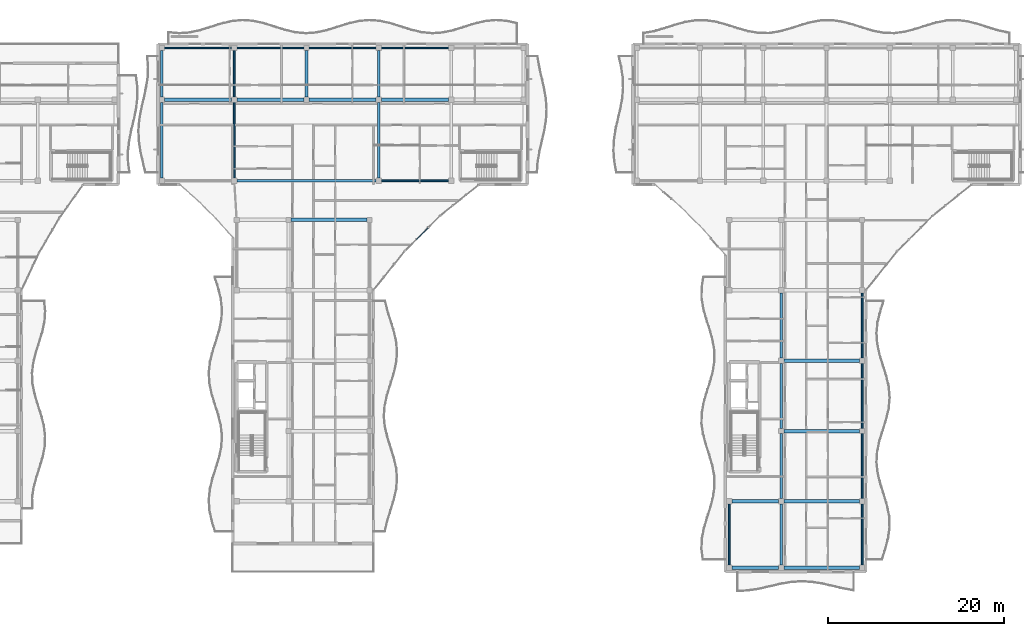
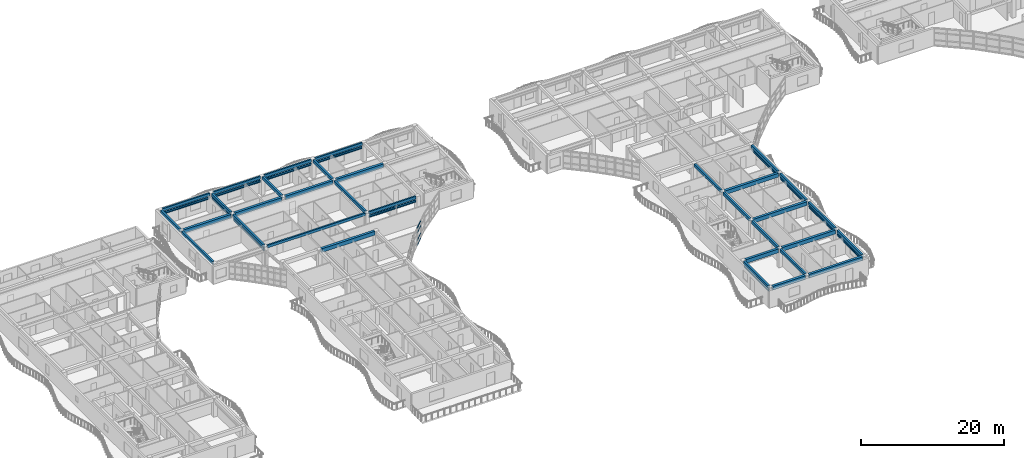
# One storey, part 7 of 71: 33 beams, 28 members, 1 element without a shape of its own.
"""IFC4 building model written with IfcOpenShell, lengths in metres."""

import ifcopenshell
import ifcopenshell.guid

model = None  # the IFC model being written
_history = None  # IfcOwnerHistory: only IFC2X3 demands one
_inside = {}  # id of a spatial element -> (the spatial element, [elements in it])
_under = {}  # id of a project, library or spatial element -> (it, [spatial elements below it])
_declared = {}  # id of a project -> (the project, [libraries it declares])
_typed = {}  # id of a type object -> (the type object, [elements of that type])
_made_of = {}  # id of a material, layer set ... -> (it, [elements and type objects made of it])


def new_model(schema):
    """Start an empty IFC model of exactly this schema.

    Asked for "IFC4X3", IfcOpenShell would pick the latest addendum, in which some entities
    have other attributes; the version numbers below select the first issue.
    IFC2X3 requires an IfcOwnerHistory on every rooted entity: one is made here for all.
    """
    global model, _history
    if schema == "IFC4X3":
        model = ifcopenshell.file(schema_version=(4, 3, 0, 0))
    else:
        model = ifcopenshell.file(schema=schema)
    _inside.clear()
    _under.clear()
    _declared.clear()
    _typed.clear()
    _made_of.clear()
    _history = None
    if model.schema == "IFC2X3":
        org = make("IfcOrganization", Name="unknown")
        user = make(
            "IfcPersonAndOrganization",
            ThePerson=make("IfcPerson", FamilyName="unknown"),
            TheOrganization=org,
        )
        app = make(
            "IfcApplication",
            ApplicationDeveloper=org,
            Version="unknown",
            ApplicationFullName="unknown",
            ApplicationIdentifier="unknown",
        )
        _history = make(
            "IfcOwnerHistory",
            OwningUser=user,
            OwningApplication=app,
            ChangeAction="ADDED",
            CreationDate=0,
        )
    return model


def make(cls, **values):
    """One entity of the class cls with the attributes given. An attribute that is None is left unset."""
    return model.create_entity(
        cls, **{name: value for name, value in values.items() if value is not None}
    )


def rooted(cls, **values):
    """An entity with a GlobalId (a new one), such as an element, a storey or a relation."""
    return make(cls, GlobalId=ifcopenshell.guid.new(), OwnerHistory=_history, **values)


def si_unit(unit_type, name, prefix=None):
    """IfcSIUnit, for example si_unit("LENGTHUNIT", "METRE", prefix="MILLI")."""
    return make("IfcSIUnit", UnitType=unit_type, Prefix=prefix, Name=name)


def assignment(units):
    """IfcUnitAssignment: the units of a project."""
    return None if units is None else make("IfcUnitAssignment", Units=units)


def point(xyz):
    """IfcCartesianPoint."""
    return None if xyz is None else make("IfcCartesianPoint", Coordinates=xyz)


def direction(xyz):
    """IfcDirection."""
    return None if xyz is None else make("IfcDirection", DirectionRatios=xyz)


def frame(location, z_axis=None, x_axis=None):
    """IfcAxis2Placement3D, a coordinate frame: its origin and axes. An axis left out is left unset."""
    return make(
        "IfcAxis2Placement3D",
        Location=point(location),
        Axis=direction(z_axis),
        RefDirection=direction(x_axis),
    )


def frame_2d(location, x_axis=None):
    """IfcAxis2Placement2D, a coordinate frame in the plane: its origin and x axis."""
    return make(
        "IfcAxis2Placement2D", Location=point(location), RefDirection=direction(x_axis)
    )


def origin():
    """The frame at (0, 0, 0) with its axes left unset."""
    return frame((0.0, 0.0, 0.0))


def origin_2d():
    """The frame at (0, 0) in the plane with its x axis left unset."""
    return frame_2d((0.0, 0.0))


def place(relative_to, where):
    """IfcLocalPlacement: puts the frame where relative to a parent placement (None: the world)."""
    return make(
        "IfcLocalPlacement", PlacementRelTo=relative_to, RelativePlacement=where
    )


def context(
    kind, dimensions, precision=None, world=None, true_north=None, identifier=None
):
    """IfcGeometricRepresentationContext, for example the 3D "Model" context."""
    return make(
        "IfcGeometricRepresentationContext",
        ContextIdentifier=identifier,
        ContextType=kind,
        CoordinateSpaceDimension=dimensions,
        Precision=precision,
        WorldCoordinateSystem=world,
        TrueNorth=true_north,
    )


def subcontext(parent, identifier, kind, view, scale=None):
    """IfcGeometricRepresentationSubContext, for example "Body" below "Model"."""
    return make(
        "IfcGeometricRepresentationSubContext",
        ContextIdentifier=identifier,
        ContextType=kind,
        ParentContext=parent,
        TargetScale=scale,
        TargetView=view,
    )


def project(units=None, contexts=None):
    """IfcProject with its units and contexts."""
    return rooted(
        "IfcProject",
        Name="project",
        RepresentationContexts=contexts,
        UnitsInContext=assignment(units),
    )


def spatial(cls, under=None, at=None, **own):
    """A site, building, storey or space (cls), placed at a placement, below another one or the project."""
    s = rooted(cls, ObjectPlacement=at, **own)
    if under is not None:
        _under.setdefault(under.id(), (under, []))[1].append(s)
    return s


def profile(cls, at=None, kind="AREA", **sizes):
    """A parametric profile (cls). Its sizes go by their IFC names, for example OverallWidth=200.0."""
    return make(cls, ProfileType=kind, Position=at, **sizes)


def rectangle(**sizes):
    """IfcRectangleProfileDef."""
    return profile("IfcRectangleProfileDef", **sizes)


def hollow_rectangle(**sizes):
    """IfcRectangleHollowProfileDef."""
    return profile("IfcRectangleHollowProfileDef", **sizes)


def extrude(swept, where, along, depth):
    """IfcExtrudedAreaSolid: the profile swept, set in the frame where, extruded along a direction by depth."""
    return make(
        "IfcExtrudedAreaSolid",
        SweptArea=swept,
        Position=where,
        ExtrudedDirection=direction(along),
        Depth=depth,
    )


def shape(context_of_items, identifier, shape_type, items):
    """IfcShapeRepresentation: the items that make up one representation, for example the "Body"."""
    return make(
        "IfcShapeRepresentation",
        ContextOfItems=context_of_items,
        RepresentationIdentifier=identifier,
        RepresentationType=shape_type,
        Items=items,
    )


def material(Name=None, Category=None):
    """IfcMaterial."""
    return make("IfcMaterial", Name=Name, Category=Category)


def layer(
    of_material, thickness, ventilated=None, Name=None, Category=None, Priority=None
):
    """IfcMaterialLayer: one layer of a wall or slab, of a material (None: an air gap)."""
    return make(
        "IfcMaterialLayer",
        Material=of_material,
        LayerThickness=thickness,
        IsVentilated=ventilated,
        Name=Name,
        Category=Category,
        Priority=Priority,
    )


def layer_set(layers, Name=None):
    """IfcMaterialLayerSet."""
    return make("IfcMaterialLayerSet", MaterialLayers=layers, LayerSetName=Name)


def material_profile(
    of_material, cross_section, Name=None, Category=None, Priority=None
):
    """IfcMaterialProfile: a cross section and its material."""
    return make(
        "IfcMaterialProfile",
        Name=Name,
        Material=of_material,
        Profile=cross_section,
        Priority=Priority,
        Category=Category,
    )


def profile_set(profiles, Name=None, composite=None):
    """IfcMaterialProfileSet."""
    return make(
        "IfcMaterialProfileSet",
        Name=Name,
        MaterialProfiles=profiles,
        CompositeProfile=composite,
    )


def made_of(thing, what):
    """Note that an element or type object is made of a material, layer set ...; save() writes the relation."""
    if what is not None:
        _made_of.setdefault(what.id(), (what, []))[1].append(thing)
    return thing


def type_object(cls, material=None, **own):
    """A type object (cls), such as IfcWallType, which elements share."""
    return made_of(rooted(cls, **own), material)


def element(
    cls,
    number,
    at=None,
    inside=None,
    cuts=None,
    type_object=None,
    material=None,
    context=None,
    identifier="Body",
    shape_type=None,
    held_by="IfcProductDefinitionShape",
    body=None,
    shapes=None,
    **own,
):
    """One element of the class cls, such as IfcWall. Its Tag is "e" and its number.

    at: its placement. inside: the storey or other place that contains it. cuts: it is an
    opening in that element (IfcRelVoidsElement). A single representation is given by context,
    identifier, shape_type and body (its items); several are given by shapes. held_by: the class
    of the entity that holds the representations. save() writes the other relations.
    """
    e = rooted(cls, Tag="e%d" % number, ObjectPlacement=at, **own)
    if body is not None:
        shapes = [shape(context, identifier, shape_type, body)]
    if shapes is not None:
        e.Representation = make(held_by, Representations=shapes)
    if inside is not None:
        _inside.setdefault(inside.id(), (inside, []))[1].append(e)
    if cuts is not None:
        rooted(
            "IfcRelVoidsElement", RelatingBuildingElement=cuts, RelatedOpeningElement=e
        )
    if type_object is not None:
        _typed.setdefault(type_object.id(), (type_object, []))[1].append(e)
    return made_of(e, material)


def aggregate(whole, parts):
    """IfcRelAggregates: a whole, such as a stair, and the parts it consists of."""
    return rooted("IfcRelAggregates", RelatingObject=whole, RelatedObjects=parts)


def save(model, path):
    """Write the relations noted so far, then the file.

    IfcRelAggregates (storeys below a building ...), IfcRelContainedInSpatialStructure (elements
    in a storey), IfcRelDefinesByType, IfcRelAssociatesMaterial and IfcRelDeclares: one each for
    every whole, place, type object, material and project.
    """
    for whole, parts in _under.values():
        aggregate(whole, parts)
    for where, things in _inside.values():
        rooted(
            "IfcRelContainedInSpatialStructure",
            RelatedElements=things,
            RelatingStructure=where,
        )
    for kind, things in _typed.values():
        rooted("IfcRelDefinesByType", RelatedObjects=things, RelatingType=kind)
    for what, things in _made_of.values():
        rooted("IfcRelAssociatesMaterial", RelatedObjects=things, RelatingMaterial=what)
    for by, libraries in _declared.values():
        rooted("IfcRelDeclares", RelatingContext=by, RelatedDefinitions=libraries)
    model.write(path)


model = new_model("IFC4")

# Units and contexts
model_context = context("Model", 3, precision=1e-05, world=origin(), true_north=direction((0.0, 1.0)))
body_context = subcontext(model_context, "Body", "Model", "MODEL_VIEW")
ifc_project = project(units=[si_unit("LENGTHUNIT", "METRE"), si_unit("AREAUNIT", "SQUARE_METRE"), si_unit("VOLUMEUNIT", "CUBIC_METRE"), si_unit("PLANEANGLEUNIT", "RADIAN"), si_unit("MASSUNIT", "GRAM", prefix="KILO")], contexts=[model_context])

# Site, building, storey
site_placement = place(None, origin())
site = spatial("IfcSite", under=ifc_project, at=site_placement, CompositionType="ELEMENT")
building_placement = place(site_placement, origin())
building = spatial("IfcBuilding", under=site, at=building_placement, Name="Keldmere Railside Commons", CompositionType="ELEMENT")
storey_placement = place(building_placement, frame((0.0, 0.0, 20.159912109375)))
storey = spatial("IfcBuildingStorey", under=building, at=storey_placement, Name="L06", CompositionType="ELEMENT", Elevation=20.159912109375)

# Members
ifc_material_1 = material(Name="Steel F-36 (S355)", Category="steel")
ifc_material_profile_1 = material_profile(ifc_material_1, hollow_rectangle(XDim=0.14990234375, YDim=0.25, WallThickness=0.010009765625, at=origin_2d()), Name="RHS-250x150x10")
ifc_profile_set_1 = profile_set([ifc_material_profile_1], Name="Steel F-36 (S355)")
member_type_1 = type_object("IfcMemberType", Name="Balcony Continuous Planted Trough RHS250x150", PredefinedType="CHORD", material=ifc_profile_set_1)
for number, where, z_axis, x_axis, name in (
    (1, (40.25, 115.550048828125, 2.4150390625), (1.0, 0.0, 0.0), (0.0, 1.0, 0.0), "PLT-1 MEM-BPLT-0693"),
    (2, (48.469970703125, 115.550048828125, 2.4150390625), (1.0, 0.0, 0.0), (0.0, 1.0, 0.0), "PLT-1 MEM-BPLT-0695"),
    (3, (56.68994140625, 115.550048828125, 2.4150390625), (1.0, 0.0, 0.0), (0.0, 1.0, 0.0), "PLT-1 MEM-BPLT-0697"),
    (4, (64.909912109375, 115.550048828125, 2.4150390625), (1.0, 0.0, 0.0), (0.0, 1.0, 0.0), "PLT-1 MEM-BPLT-0699"),
    (5, (64.909912109375, 100.449951171875, 2.4150390625), (1.0, 0.0, 0.0), (0.0, 1.0, 0.0), "PLT-1 MEM-BPLT-0705"),
):
    element("IfcMember", number, at=place(storey_placement, frame(where, z_axis=z_axis, x_axis=x_axis)), inside=storey, type_object=member_type_1, Name=name, PredefinedType="CHORD", context=body_context, shape_type="SweptSolid", body=[
        extrude(hollow_rectangle(XDim=0.14990234375, YDim=0.25, WallThickness=0.010009765625, at=origin_2d()), origin(), (0.0, 0.0, 1.0), 7.6201171875),
    ])
member_1_placement = place(storey_placement, frame((48.169921875, 100.75, 2.4150390625), z_axis=(0.0, 1.0, 0.0), x_axis=(-1.0, 0.0, 0.0)))
element("IfcMember", 6, at=member_1_placement, inside=storey, type_object=member_type_1, Name="PLT-1 MEM-BPLT-0711", PredefinedType="CHORD", context=body_context, shape_type="SweptSolid", body=[
    extrude(hollow_rectangle(XDim=0.14990234375, YDim=0.25, WallThickness=0.010009765625, at=origin_2d()), origin(), (0.0, 0.0, 1.0), 8.60009765625),
])
member_2_placement = place(storey_placement, frame((48.169921875, 109.949951171875, 2.4150390625), z_axis=(0.0, 1.0, 0.0), x_axis=(-1.0, 0.0, 0.0)))
element("IfcMember", 7, at=member_2_placement, inside=storey, type_object=member_type_1, Name="PLT-1 MEM-BPLT-0713", PredefinedType="CHORD", context=body_context, shape_type="SweptSolid", body=[
    extrude(hollow_rectangle(XDim=0.14990234375, YDim=0.25, WallThickness=0.010009765625, at=origin_2d()), origin(), (0.0, 0.0, 1.0), 5.300048828125),
])
for number, where, z_axis, x_axis, name in (
    (8, (104.449951171875, 56.75, 2.4150390625), (0.0, 1.0, 0.0), (-1.0, 0.0, 0.0), "PLT-1 MEM-BPLT-0737"),
    (9, (119.550048828125, 56.75, 2.4150390625), (0.0, 1.0, 0.0), (-1.0, 0.0, 0.0), "PLT-1 MEM-BPLT-0741"),
):
    element("IfcMember", number, at=place(storey_placement, frame(where, z_axis=z_axis, x_axis=x_axis)), inside=storey, type_object=member_type_1, Name=name, PredefinedType="CHORD", context=body_context, shape_type="SweptSolid", body=[
        extrude(hollow_rectangle(XDim=0.14990234375, YDim=0.25, WallThickness=0.010009765625, at=origin_2d()), origin(), (0.0, 0.0, 1.0), 6.949951171875),
    ])
for number, where, z_axis, x_axis, name in (
    (10, (119.550048828125, 64.300048828125, 2.4150390625), (0.0, 1.0, 0.0), (-1.0, 0.0, 0.0), "PLT-1 MEM-BPLT-0743"),
    (11, (119.550048828125, 72.300048828125, 2.4150390625), (0.0, 1.0, 0.0), (-1.0, 0.0, 0.0), "PLT-1 MEM-BPLT-0745"),
    (12, (119.550048828125, 80.300048828125, 2.4150390625), (0.0, 1.0, 0.0), (-1.0, 0.0, 0.0), "PLT-1 MEM-BPLT-0747"),
):
    element("IfcMember", number, at=place(storey_placement, frame(where, z_axis=z_axis, x_axis=x_axis)), inside=storey, type_object=member_type_1, Name=name, PredefinedType="CHORD", context=body_context, shape_type="SweptSolid", body=[
        extrude(hollow_rectangle(XDim=0.14990234375, YDim=0.25, WallThickness=0.010009765625, at=origin_2d()), origin(), (0.0, 0.0, 1.0), 7.39990234375),
    ])

# Beams
ifc_material_2 = material(Name="Architectural Precast Concrete H-35 (C35/45)", Category="concrete")
ifc_material_profile_2 = material_profile(ifc_material_2, rectangle(XDim=0.25, YDim=0.449951171875, at=origin_2d()), Name="RC-250x450")
ifc_profile_set_2 = profile_set([ifc_material_profile_2], Name="Architectural Precast Concrete H-35 (C35/45)")
beam_type_1 = type_object("IfcBeamType", Name="Perimeter Precast Spandrel Beam 250x450", PredefinedType="SPANDREL", material=ifc_profile_set_2)
beam_1_placement = place(storey_placement, frame((48.469970703125, 100.449951171875, 2.97509765625), z_axis=(1.0, 0.0, 0.0), x_axis=(0.0, 1.0, 0.0)))
element("IfcBeam", 13, at=beam_1_placement, inside=storey, type_object=beam_type_1, Name="SPB-1 BM-L06-1899", PredefinedType="SPANDREL", context=body_context, shape_type="SweptSolid", body=[
    extrude(rectangle(XDim=0.25, YDim=0.449951171875, at=origin_2d()), origin(), (0.0, 0.0, 1.0), 15.840087890625),
])
for number, where, z_axis, x_axis, name in (
    (14, (64.909912109375, 100.449951171875, 2.97509765625), (1.0, 0.0, 0.0), (0.0, 1.0, 0.0), "SPB-1 BM-L06-1900"),
    (15, (40.25, 115.550048828125, 2.97509765625), (1.0, 0.0, 0.0), (0.0, 1.0, 0.0), "SPB-1 BM-L06-1926"),
    (16, (48.469970703125, 115.550048828125, 2.97509765625), (1.0, 0.0, 0.0), (0.0, 1.0, 0.0), "SPB-1 BM-L06-1927"),
    (17, (56.68994140625, 115.550048828125, 2.97509765625), (1.0, 0.0, 0.0), (0.0, 1.0, 0.0), "SPB-1 BM-L06-1928"),
    (18, (64.909912109375, 115.550048828125, 2.97509765625), (1.0, 0.0, 0.0), (0.0, 1.0, 0.0), "SPB-1 BM-L06-1929"),
):
    element("IfcBeam", number, at=place(storey_placement, frame(where, z_axis=z_axis, x_axis=x_axis)), inside=storey, type_object=beam_type_1, Name=name, PredefinedType="SPANDREL", context=body_context, shape_type="SweptSolid", body=[
        extrude(rectangle(XDim=0.25, YDim=0.449951171875, at=origin_2d()), origin(), (0.0, 0.0, 1.0), 7.6201171875),
    ])
ifc_material_3 = material(Name="Concrete H-30 (C30/37)", Category="concrete")
ifc_material_profile_3 = material_profile(ifc_material_3, rectangle(XDim=0.39990234375, YDim=0.64990234375, at=origin_2d()), Name="RC-400x650")
ifc_profile_set_3 = profile_set([ifc_material_profile_3], Name="Concrete H-30 (C30/37)")
beam_type_2 = type_object("IfcBeamType", Name="Residential Spine RC Girder 400x650", PredefinedType="BEAM", material=ifc_profile_set_3)
beam_2_placement = place(storey_placement, frame((104.75, 56.449951171875, 2.875), z_axis=(1.0, 0.0, 0.0), x_axis=(0.0, 1.0, 0.0)))
element("IfcBeam", 19, at=beam_2_placement, inside=storey, type_object=beam_type_2, Name="BG-3 BM-L06-1861", PredefinedType="BEAM", context=body_context, shape_type="SweptSolid", body=[
    extrude(rectangle(XDim=0.39990234375, YDim=0.64990234375, at=origin_2d()), origin(), (0.0, 0.0, 1.0), 5.300048828125),
])
beam_3_placement = place(storey_placement, frame((110.64990234375, 56.449951171875, 2.875), z_axis=(1.0, 0.0, 0.0), x_axis=(0.0, 1.0, 0.0)))
element("IfcBeam", 20, at=beam_3_placement, inside=storey, type_object=beam_type_2, Name="BG-3 BM-L06-1862", PredefinedType="BEAM", context=body_context, shape_type="SweptSolid", body=[
    extrude(rectangle(XDim=0.39990234375, YDim=0.64990234375, at=origin_2d()), origin(), (0.0, 0.0, 1.0), 8.60009765625),
])
beam_4_placement = place(storey_placement, frame((104.75, 64.0, 2.875), z_axis=(1.0, 0.0, 0.0), x_axis=(0.0, 1.0, 0.0)))
element("IfcBeam", 21, at=beam_4_placement, inside=storey, type_object=beam_type_2, Name="BG-3 BM-L06-1869", PredefinedType="BEAM", context=body_context, shape_type="SweptSolid", body=[
    extrude(rectangle(XDim=0.39990234375, YDim=0.64990234375, at=origin_2d()), origin(), (0.0, 0.0, 1.0), 5.300048828125),
])
for number, where, z_axis, x_axis, name in (
    (22, (110.64990234375, 64.0, 2.875), (1.0, 0.0, 0.0), (0.0, 1.0, 0.0), "BG-3 BM-L06-1870"),
    (23, (110.64990234375, 72.0, 2.875), (1.0, 0.0, 0.0), (0.0, 1.0, 0.0), "BG-3 BM-L06-1875"),
    (24, (110.64990234375, 80.0, 2.875), (1.0, 0.0, 0.0), (0.0, 1.0, 0.0), "BG-3 BM-L06-1879"),
    (25, (54.64990234375, 96.0, 2.875), (1.0, 0.0, 0.0), (0.0, 1.0, 0.0), "BG-3 BM-L06-1892"),
):
    element("IfcBeam", number, at=place(storey_placement, frame(where, z_axis=z_axis, x_axis=x_axis)), inside=storey, type_object=beam_type_2, Name=name, PredefinedType="BEAM", context=body_context, shape_type="SweptSolid", body=[
        extrude(rectangle(XDim=0.39990234375, YDim=0.64990234375, at=origin_2d()), origin(), (0.0, 0.0, 1.0), 8.60009765625),
    ])
for number, where, z_axis, x_axis, name in (
    (26, (40.25, 109.64990234375, 2.875), (1.0, 0.0, 0.0), (0.0, 1.0, 0.0), "BG-3 BM-L06-1910"),
    (27, (48.469970703125, 109.64990234375, 2.875), (1.0, 0.0, 0.0), (0.0, 1.0, 0.0), "BG-3 BM-L06-1911"),
    (28, (56.68994140625, 109.64990234375, 2.875), (1.0, 0.0, 0.0), (0.0, 1.0, 0.0), "BG-3 BM-L06-1912"),
    (29, (64.909912109375, 109.64990234375, 2.875), (1.0, 0.0, 0.0), (0.0, 1.0, 0.0), "BG-3 BM-L06-1913"),
):
    element("IfcBeam", number, at=place(storey_placement, frame(where, z_axis=z_axis, x_axis=x_axis)), inside=storey, type_object=beam_type_2, Name=name, PredefinedType="BEAM", context=body_context, shape_type="SweptSolid", body=[
        extrude(rectangle(XDim=0.39990234375, YDim=0.64990234375, at=origin_2d()), origin(), (0.0, 0.0, 1.0), 7.6201171875),
    ])
ifc_material_profile_4 = material_profile(ifc_material_3, rectangle(XDim=0.300048828125, YDim=0.5, at=origin_2d()), Name="RC-300x500")
ifc_profile_set_4 = profile_set([ifc_material_profile_4], Name="Concrete H-30 (C30/37)")
beam_type_3 = type_object("IfcBeamType", Name="Secondary Frame RC Beam 300x500", PredefinedType="BEAM", material=ifc_profile_set_4)
beam_5_placement = place(storey_placement, frame((39.949951171875, 100.75, 2.9501953125), z_axis=(0.0, 1.0, 0.0), x_axis=(-1.0, 0.0, 0.0)))
element("IfcBeam", 30, at=beam_5_placement, inside=storey, type_object=beam_type_3, Name="BG-5 BM-L06-1954", PredefinedType="BEAM", context=body_context, shape_type="SweptSolid", body=[
    extrude(rectangle(XDim=0.300048828125, YDim=0.5, at=origin_2d()), origin(), (0.0, 0.0, 1.0), 8.60009765625),
])
beam_6_placement = place(storey_placement, frame((39.949951171875, 109.949951171875, 2.9501953125), z_axis=(0.0, 1.0, 0.0), x_axis=(-1.0, 0.0, 0.0)))
element("IfcBeam", 31, at=beam_6_placement, inside=storey, type_object=beam_type_3, Name="BG-5 BM-L06-1955", PredefinedType="BEAM", context=body_context, shape_type="SweptSolid", body=[
    extrude(rectangle(XDim=0.300048828125, YDim=0.5, at=origin_2d()), origin(), (0.0, 0.0, 1.0), 5.300048828125),
])
beam_7_placement = place(storey_placement, frame((48.169921875, 100.75, 2.9501953125), z_axis=(0.0, 1.0, 0.0), x_axis=(-1.0, 0.0, 0.0)))
element("IfcBeam", 32, at=beam_7_placement, inside=storey, type_object=beam_type_3, Name="BG-5 BM-L06-1956", PredefinedType="BEAM", context=body_context, shape_type="SweptSolid", body=[
    extrude(rectangle(XDim=0.300048828125, YDim=0.5, at=origin_2d()), origin(), (0.0, 0.0, 1.0), 8.60009765625),
])
for number, where, z_axis, x_axis, name in (
    (33, (48.169921875, 109.949951171875, 2.9501953125), (0.0, 1.0, 0.0), (-1.0, 0.0, 0.0), "BG-5 BM-L06-1957"),
    (34, (56.389892578125, 109.949951171875, 2.9501953125), (0.0, 1.0, 0.0), (-1.0, 0.0, 0.0), "BG-5 BM-L06-1963"),
):
    element("IfcBeam", number, at=place(storey_placement, frame(where, z_axis=z_axis, x_axis=x_axis)), inside=storey, type_object=beam_type_3, Name=name, PredefinedType="BEAM", context=body_context, shape_type="SweptSolid", body=[
        extrude(rectangle(XDim=0.300048828125, YDim=0.5, at=origin_2d()), origin(), (0.0, 0.0, 1.0), 5.300048828125),
    ])
beam_8_placement = place(storey_placement, frame((64.610107421875, 100.75, 2.9501953125), z_axis=(0.0, 1.0, 0.0), x_axis=(-1.0, 0.0, 0.0)))
element("IfcBeam", 35, at=beam_8_placement, inside=storey, type_object=beam_type_3, Name="BG-5 BM-L06-1968", PredefinedType="BEAM", context=body_context, shape_type="SweptSolid", body=[
    extrude(rectangle(XDim=0.300048828125, YDim=0.5, at=origin_2d()), origin(), (0.0, 0.0, 1.0), 8.60009765625),
])
beam_9_placement = place(storey_placement, frame((64.610107421875, 109.949951171875, 2.9501953125), z_axis=(0.0, 1.0, 0.0), x_axis=(-1.0, 0.0, 0.0)))
element("IfcBeam", 36, at=beam_9_placement, inside=storey, type_object=beam_type_3, Name="BG-5 BM-L06-1969", PredefinedType="BEAM", context=body_context, shape_type="SweptSolid", body=[
    extrude(rectangle(XDim=0.300048828125, YDim=0.5, at=origin_2d()), origin(), (0.0, 0.0, 1.0), 5.300048828125),
])
for number, where, z_axis, x_axis, name in (
    (37, (104.449951171875, 56.75, 2.9501953125), (0.0, 1.0, 0.0), (-1.0, 0.0, 0.0), "BG-5 BM-L06-1977"),
    (38, (110.35009765625, 56.75, 2.9501953125), (0.0, 1.0, 0.0), (-1.0, 0.0, 0.0), "BG-5 BM-L06-1981"),
):
    element("IfcBeam", number, at=place(storey_placement, frame(where, z_axis=z_axis, x_axis=x_axis)), inside=storey, type_object=beam_type_3, Name=name, PredefinedType="BEAM", context=body_context, shape_type="SweptSolid", body=[
        extrude(rectangle(XDim=0.300048828125, YDim=0.5, at=origin_2d()), origin(), (0.0, 0.0, 1.0), 6.949951171875),
    ])
for number, where, z_axis, x_axis, name in (
    (39, (110.35009765625, 64.300048828125, 2.9501953125), (0.0, 1.0, 0.0), (-1.0, 0.0, 0.0), "BG-5 BM-L06-1982"),
    (40, (110.35009765625, 72.300048828125, 2.9501953125), (0.0, 1.0, 0.0), (-1.0, 0.0, 0.0), "BG-5 BM-L06-1983"),
    (41, (110.35009765625, 80.300048828125, 2.9501953125), (0.0, 1.0, 0.0), (-1.0, 0.0, 0.0), "BG-5 BM-L06-1984"),
):
    element("IfcBeam", number, at=place(storey_placement, frame(where, z_axis=z_axis, x_axis=x_axis)), inside=storey, type_object=beam_type_3, Name=name, PredefinedType="BEAM", context=body_context, shape_type="SweptSolid", body=[
        extrude(rectangle(XDim=0.300048828125, YDim=0.5, at=origin_2d()), origin(), (0.0, 0.0, 1.0), 7.39990234375),
    ])
beam_10_placement = place(storey_placement, frame((119.550048828125, 56.75, 2.9501953125), z_axis=(0.0, 1.0, 0.0), x_axis=(-1.0, 0.0, 0.0)))
element("IfcBeam", 42, at=beam_10_placement, inside=storey, type_object=beam_type_3, Name="BG-5 BM-L06-1988", PredefinedType="BEAM", context=body_context, shape_type="SweptSolid", body=[
    extrude(rectangle(XDim=0.300048828125, YDim=0.5, at=origin_2d()), origin(), (0.0, 0.0, 1.0), 6.949951171875),
])
for number, where, z_axis, x_axis, name in (
    (43, (119.550048828125, 64.300048828125, 2.9501953125), (0.0, 1.0, 0.0), (-1.0, 0.0, 0.0), "BG-5 BM-L06-1989"),
    (44, (119.550048828125, 72.300048828125, 2.9501953125), (0.0, 1.0, 0.0), (-1.0, 0.0, 0.0), "BG-5 BM-L06-1990"),
    (45, (119.550048828125, 80.300048828125, 2.9501953125), (0.0, 1.0, 0.0), (-1.0, 0.0, 0.0), "BG-5 BM-L06-1991"),
):
    element("IfcBeam", number, at=place(storey_placement, frame(where, z_axis=z_axis, x_axis=x_axis)), inside=storey, type_object=beam_type_3, Name=name, PredefinedType="BEAM", context=body_context, shape_type="SweptSolid", body=[
        extrude(rectangle(XDim=0.300048828125, YDim=0.5, at=origin_2d()), origin(), (0.0, 0.0, 1.0), 7.39990234375),
    ])

# Members
ifc_material_profile_5 = material_profile(ifc_material_1, hollow_rectangle(XDim=0.10009765625, YDim=0.159912109375, WallThickness=0.008056640625, at=origin_2d()), Name="RHS-160x100x8")
ifc_profile_set_5 = profile_set([ifc_material_profile_5], Name="Steel F-36 (S355)")
member_type_2 = type_object("IfcMemberType", Name="Solar Brise-Soleil Louvre Fin RHS160x100", PredefinedType="STRUT", material=ifc_profile_set_5)
for number, where, z_axis, x_axis, name in (
    (46, (40.25, 115.550048828125, 2.2001953125), (1.0, 0.0, 0.0), (0.0, 1.0, 0.0), "BSF-1 MEM-BSF-0694"),
    (47, (48.469970703125, 115.550048828125, 2.2001953125), (1.0, 0.0, 0.0), (0.0, 1.0, 0.0), "BSF-1 MEM-BSF-0696"),
    (48, (56.68994140625, 115.550048828125, 2.2001953125), (1.0, 0.0, 0.0), (0.0, 1.0, 0.0), "BSF-1 MEM-BSF-0698"),
    (49, (64.909912109375, 115.550048828125, 2.2001953125), (1.0, 0.0, 0.0), (0.0, 1.0, 0.0), "BSF-1 MEM-BSF-0700"),
    (50, (64.909912109375, 100.449951171875, 2.2001953125), (1.0, 0.0, 0.0), (0.0, 1.0, 0.0), "BSF-1 MEM-BSF-0706"),
):
    element("IfcMember", number, at=place(storey_placement, frame(where, z_axis=z_axis, x_axis=x_axis)), inside=storey, type_object=member_type_2, Name=name, PredefinedType="STRUT", context=body_context, shape_type="SweptSolid", body=[
        extrude(hollow_rectangle(XDim=0.10009765625, YDim=0.159912109375, WallThickness=0.008056640625, at=origin_2d()), origin(), (0.0, 0.0, 1.0), 7.6201171875),
    ])
member_3_placement = place(storey_placement, frame((48.169921875, 100.75, 2.2001953125), z_axis=(0.0, 1.0, 0.0), x_axis=(-1.0, 0.0, 0.0)))
element("IfcMember", 51, at=member_3_placement, inside=storey, type_object=member_type_2, Name="BSF-1 MEM-BSF-0712", PredefinedType="STRUT", context=body_context, shape_type="SweptSolid", body=[
    extrude(hollow_rectangle(XDim=0.10009765625, YDim=0.159912109375, WallThickness=0.008056640625, at=origin_2d()), origin(), (0.0, 0.0, 1.0), 8.60009765625),
])
member_4_placement = place(storey_placement, frame((48.169921875, 109.949951171875, 2.2001953125), z_axis=(0.0, 1.0, 0.0), x_axis=(-1.0, 0.0, 0.0)))
element("IfcMember", 52, at=member_4_placement, inside=storey, type_object=member_type_2, Name="BSF-1 MEM-BSF-0714", PredefinedType="STRUT", context=body_context, shape_type="SweptSolid", body=[
    extrude(hollow_rectangle(XDim=0.10009765625, YDim=0.159912109375, WallThickness=0.008056640625, at=origin_2d()), origin(), (0.0, 0.0, 1.0), 5.300048828125),
])
for number, where, z_axis, x_axis, name in (
    (53, (104.449951171875, 56.75, 2.2001953125), (0.0, 1.0, 0.0), (-1.0, 0.0, 0.0), "BSF-1 MEM-BSF-0738"),
    (54, (119.550048828125, 56.75, 2.2001953125), (0.0, 1.0, 0.0), (-1.0, 0.0, 0.0), "BSF-1 MEM-BSF-0742"),
):
    element("IfcMember", number, at=place(storey_placement, frame(where, z_axis=z_axis, x_axis=x_axis)), inside=storey, type_object=member_type_2, Name=name, PredefinedType="STRUT", context=body_context, shape_type="SweptSolid", body=[
        extrude(hollow_rectangle(XDim=0.10009765625, YDim=0.159912109375, WallThickness=0.008056640625, at=origin_2d()), origin(), (0.0, 0.0, 1.0), 6.949951171875),
    ])
for number, where, z_axis, x_axis, name in (
    (55, (119.550048828125, 64.300048828125, 2.2001953125), (0.0, 1.0, 0.0), (-1.0, 0.0, 0.0), "BSF-1 MEM-BSF-0744"),
    (56, (119.550048828125, 72.300048828125, 2.2001953125), (0.0, 1.0, 0.0), (-1.0, 0.0, 0.0), "BSF-1 MEM-BSF-0746"),
    (57, (119.550048828125, 80.300048828125, 2.2001953125), (0.0, 1.0, 0.0), (-1.0, 0.0, 0.0), "BSF-1 MEM-BSF-0748"),
):
    element("IfcMember", number, at=place(storey_placement, frame(where, z_axis=z_axis, x_axis=x_axis)), inside=storey, type_object=member_type_2, Name=name, PredefinedType="STRUT", context=body_context, shape_type="SweptSolid", body=[
        extrude(hollow_rectangle(XDim=0.10009765625, YDim=0.159912109375, WallThickness=0.008056640625, at=origin_2d()), origin(), (0.0, 0.0, 1.0), 7.39990234375),
    ])

# Curtain wall, members
ifc_material_4 = material(Name="Thermally Broken Aluminium", Category="aluminium")
ifc_layer = layer(ifc_material_4, 0.159912109375, Name="Court Chord Wintergarden CW 5400x2850")
ifc_layer_set = layer_set([ifc_layer], Name="Thermally Broken Aluminium")
curtain_wall_type = type_object("IfcCurtainWallType", Name="Court Chord Wintergarden CW 5400x2850", PredefinedType="NOTDEFINED", material=ifc_layer_set)
curtain_wall_placement = place(storey_placement, origin())
curtain_wall = element("IfcCurtainWall", 58, at=curtain_wall_placement, inside=storey, type_object=curtain_wall_type, Name="CW-13 CW-L06-062", PredefinedType="NOTDEFINED")
ifc_material_profile_6 = material_profile(ifc_material_4, hollow_rectangle(XDim=0.06494140625, YDim=0.1201171875, WallThickness=0.00390625, at=origin_2d()), Name="ALU-TRAN-65x120")
ifc_profile_set_6 = profile_set([ifc_material_profile_6], Name="Thermally Broken Aluminium")
member_type_3 = type_object("IfcMemberType", Name="Unitised Curtain Wall Transom 65x120", PredefinedType="USERDEFINED", material=ifc_profile_set_6)
member_5_placement = place(storey_placement, frame((70.208251953125, 95.08447265625, 0.032470703125), z_axis=(-0.707106781187, -0.707106781187, 0.0), x_axis=(0.707106781187, -0.707106781187, 0.0)))
member_5 = element("IfcMember", 59, at=member_5_placement, type_object=member_type_3, Name="CW-13 transom 2.1", ObjectType="TRANSOM", PredefinedType="USERDEFINED", context=body_context, shape_type="SweptSolid", body=[
    extrude(hollow_rectangle(XDim=0.06494140625, YDim=0.1201171875, WallThickness=0.00390625, at=origin_2d()), origin(), (0.0, 0.0, 1.0), 1.828125),
])
member_6_placement = place(storey_placement, frame((70.208251953125, 95.08447265625, 0.900146484375), z_axis=(-0.707106781187, -0.707106781187, 0.0), x_axis=(0.707106781187, -0.707106781187, 0.0)))
member_6 = element("IfcMember", 60, at=member_6_placement, type_object=member_type_3, Name="CW-13 transom 2.2", ObjectType="TRANSOM", PredefinedType="USERDEFINED", context=body_context, shape_type="SweptSolid", body=[
    extrude(hollow_rectangle(XDim=0.06494140625, YDim=0.1201171875, WallThickness=0.00390625, at=origin_2d()), origin(), (0.0, 0.0, 1.0), 1.828125),
])
member_7_placement = place(storey_placement, frame((70.208251953125, 95.08447265625, 2.150146484375), z_axis=(-0.707106781187, -0.707106781187, 0.0), x_axis=(0.707106781187, -0.707106781187, 0.0)))
member_7 = element("IfcMember", 61, at=member_7_placement, type_object=member_type_3, Name="CW-13 transom 2.3", ObjectType="TRANSOM", PredefinedType="USERDEFINED", context=body_context, shape_type="SweptSolid", body=[
    extrude(hollow_rectangle(XDim=0.06494140625, YDim=0.1201171875, WallThickness=0.00390625, at=origin_2d()), origin(), (0.0, 0.0, 1.0), 1.828125),
])
member_8_placement = place(storey_placement, frame((70.208251953125, 95.08447265625, 2.947509765625), z_axis=(-0.707106781187, -0.707106781187, 0.0), x_axis=(0.707106781187, -0.707106781187, 0.0)))
member_8 = element("IfcMember", 62, at=member_8_placement, type_object=member_type_3, Name="CW-13 transom 2.4", ObjectType="TRANSOM", PredefinedType="USERDEFINED", context=body_context, shape_type="SweptSolid", body=[
    extrude(hollow_rectangle(XDim=0.06494140625, YDim=0.1201171875, WallThickness=0.00390625, at=origin_2d()), origin(), (0.0, 0.0, 1.0), 1.828125),
])
aggregate(curtain_wall, [member_5, member_6, member_7, member_8])

save(model, "model.ifc")
